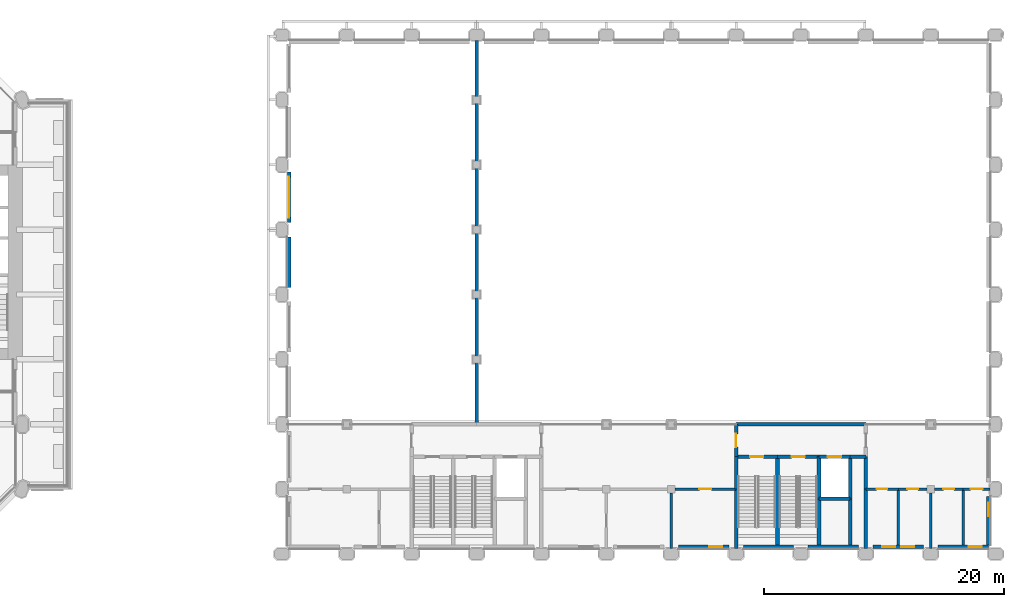
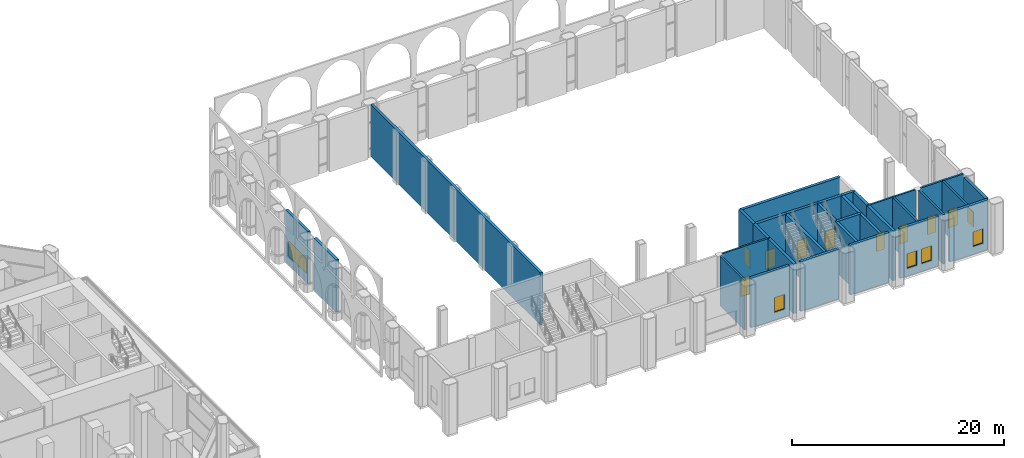
# One storey, part 16 of 34: 34 walls, 9 doors, 6 windows, 15 openings.
"""IFC4 building model written with IfcOpenShell, lengths in metres."""

import ifcopenshell
import ifcopenshell.guid

model = None  # the IFC model being written
_history = None  # IfcOwnerHistory: only IFC2X3 demands one
_inside = {}  # id of a spatial element -> (the spatial element, [elements in it])
_under = {}  # id of a project, library or spatial element -> (it, [spatial elements below it])
_declared = {}  # id of a project -> (the project, [libraries it declares])
_typed = {}  # id of a type object -> (the type object, [elements of that type])
_made_of = {}  # id of a material, layer set ... -> (it, [elements and type objects made of it])


def new_model(schema):
    """Start an empty IFC model of exactly this schema.

    Asked for "IFC4X3", IfcOpenShell would pick the latest addendum, in which some entities
    have other attributes; the version numbers below select the first issue.
    IFC2X3 requires an IfcOwnerHistory on every rooted entity: one is made here for all.
    """
    global model, _history
    if schema == "IFC4X3":
        model = ifcopenshell.file(schema_version=(4, 3, 0, 0))
    else:
        model = ifcopenshell.file(schema=schema)
    _inside.clear()
    _under.clear()
    _declared.clear()
    _typed.clear()
    _made_of.clear()
    _history = None
    if model.schema == "IFC2X3":
        org = make("IfcOrganization", Name="unknown")
        user = make(
            "IfcPersonAndOrganization",
            ThePerson=make("IfcPerson", FamilyName="unknown"),
            TheOrganization=org,
        )
        app = make(
            "IfcApplication",
            ApplicationDeveloper=org,
            Version="unknown",
            ApplicationFullName="unknown",
            ApplicationIdentifier="unknown",
        )
        _history = make(
            "IfcOwnerHistory",
            OwningUser=user,
            OwningApplication=app,
            ChangeAction="ADDED",
            CreationDate=0,
        )
    return model


def make(cls, **values):
    """One entity of the class cls with the attributes given. An attribute that is None is left unset."""
    return model.create_entity(
        cls, **{name: value for name, value in values.items() if value is not None}
    )


def rooted(cls, **values):
    """An entity with a GlobalId (a new one), such as an element, a storey or a relation."""
    return make(cls, GlobalId=ifcopenshell.guid.new(), OwnerHistory=_history, **values)


def si_unit(unit_type, name, prefix=None):
    """IfcSIUnit, for example si_unit("LENGTHUNIT", "METRE", prefix="MILLI")."""
    return make("IfcSIUnit", UnitType=unit_type, Prefix=prefix, Name=name)


def assignment(units):
    """IfcUnitAssignment: the units of a project."""
    return None if units is None else make("IfcUnitAssignment", Units=units)


def point(xyz):
    """IfcCartesianPoint."""
    return None if xyz is None else make("IfcCartesianPoint", Coordinates=xyz)


def direction(xyz):
    """IfcDirection."""
    return None if xyz is None else make("IfcDirection", DirectionRatios=xyz)


def frame(location, z_axis=None, x_axis=None):
    """IfcAxis2Placement3D, a coordinate frame: its origin and axes. An axis left out is left unset."""
    return make(
        "IfcAxis2Placement3D",
        Location=point(location),
        Axis=direction(z_axis),
        RefDirection=direction(x_axis),
    )


def frame_2d(location, x_axis=None):
    """IfcAxis2Placement2D, a coordinate frame in the plane: its origin and x axis."""
    return make(
        "IfcAxis2Placement2D", Location=point(location), RefDirection=direction(x_axis)
    )


def origin():
    """The frame at (0, 0, 0) with its axes left unset."""
    return frame((0.0, 0.0, 0.0))


def place(relative_to, where):
    """IfcLocalPlacement: puts the frame where relative to a parent placement (None: the world)."""
    return make(
        "IfcLocalPlacement", PlacementRelTo=relative_to, RelativePlacement=where
    )


def context(
    kind, dimensions, precision=None, world=None, true_north=None, identifier=None
):
    """IfcGeometricRepresentationContext, for example the 3D "Model" context."""
    return make(
        "IfcGeometricRepresentationContext",
        ContextIdentifier=identifier,
        ContextType=kind,
        CoordinateSpaceDimension=dimensions,
        Precision=precision,
        WorldCoordinateSystem=world,
        TrueNorth=true_north,
    )


def subcontext(parent, identifier, kind, view, scale=None):
    """IfcGeometricRepresentationSubContext, for example "Body" below "Model"."""
    return make(
        "IfcGeometricRepresentationSubContext",
        ContextIdentifier=identifier,
        ContextType=kind,
        ParentContext=parent,
        TargetScale=scale,
        TargetView=view,
    )


def project(units=None, contexts=None):
    """IfcProject with its units and contexts."""
    return rooted(
        "IfcProject",
        Name="project",
        RepresentationContexts=contexts,
        UnitsInContext=assignment(units),
    )


def spatial(cls, under=None, at=None, **own):
    """A site, building, storey or space (cls), placed at a placement, below another one or the project."""
    s = rooted(cls, ObjectPlacement=at, **own)
    if under is not None:
        _under.setdefault(under.id(), (under, []))[1].append(s)
    return s


def profile(cls, at=None, kind="AREA", **sizes):
    """A parametric profile (cls). Its sizes go by their IFC names, for example OverallWidth=200.0."""
    return make(cls, ProfileType=kind, Position=at, **sizes)


def rectangle(**sizes):
    """IfcRectangleProfileDef."""
    return profile("IfcRectangleProfileDef", **sizes)


def extrude(swept, where, along, depth):
    """IfcExtrudedAreaSolid: the profile swept, set in the frame where, extruded along a direction by depth."""
    return make(
        "IfcExtrudedAreaSolid",
        SweptArea=swept,
        Position=where,
        ExtrudedDirection=direction(along),
        Depth=depth,
    )


def shape(context_of_items, identifier, shape_type, items):
    """IfcShapeRepresentation: the items that make up one representation, for example the "Body"."""
    return make(
        "IfcShapeRepresentation",
        ContextOfItems=context_of_items,
        RepresentationIdentifier=identifier,
        RepresentationType=shape_type,
        Items=items,
    )


def material(Name=None, Category=None):
    """IfcMaterial."""
    return make("IfcMaterial", Name=Name, Category=Category)


def layer(
    of_material, thickness, ventilated=None, Name=None, Category=None, Priority=None
):
    """IfcMaterialLayer: one layer of a wall or slab, of a material (None: an air gap)."""
    return make(
        "IfcMaterialLayer",
        Material=of_material,
        LayerThickness=thickness,
        IsVentilated=ventilated,
        Name=Name,
        Category=Category,
        Priority=Priority,
    )


def layer_set(layers, Name=None):
    """IfcMaterialLayerSet."""
    return make("IfcMaterialLayerSet", MaterialLayers=layers, LayerSetName=Name)


def made_of(thing, what):
    """Note that an element or type object is made of a material, layer set ...; save() writes the relation."""
    if what is not None:
        _made_of.setdefault(what.id(), (what, []))[1].append(thing)
    return thing


def type_object(cls, material=None, **own):
    """A type object (cls), such as IfcWallType, which elements share."""
    return made_of(rooted(cls, **own), material)


def element(
    cls,
    number,
    at=None,
    inside=None,
    cuts=None,
    type_object=None,
    material=None,
    context=None,
    identifier="Body",
    shape_type=None,
    held_by="IfcProductDefinitionShape",
    body=None,
    shapes=None,
    **own,
):
    """One element of the class cls, such as IfcWall. Its Tag is "e" and its number.

    at: its placement. inside: the storey or other place that contains it. cuts: it is an
    opening in that element (IfcRelVoidsElement). A single representation is given by context,
    identifier, shape_type and body (its items); several are given by shapes. held_by: the class
    of the entity that holds the representations. save() writes the other relations.
    """
    e = rooted(cls, Tag="e%d" % number, ObjectPlacement=at, **own)
    if body is not None:
        shapes = [shape(context, identifier, shape_type, body)]
    if shapes is not None:
        e.Representation = make(held_by, Representations=shapes)
    if inside is not None:
        _inside.setdefault(inside.id(), (inside, []))[1].append(e)
    if cuts is not None:
        rooted(
            "IfcRelVoidsElement", RelatingBuildingElement=cuts, RelatedOpeningElement=e
        )
    if type_object is not None:
        _typed.setdefault(type_object.id(), (type_object, []))[1].append(e)
    return made_of(e, material)


def fill(opening, filler):
    """IfcRelFillsElement: the door or window that sits in an opening."""
    return rooted(
        "IfcRelFillsElement",
        RelatingOpeningElement=opening,
        RelatedBuildingElement=filler,
    )


def aggregate(whole, parts):
    """IfcRelAggregates: a whole, such as a stair, and the parts it consists of."""
    return rooted("IfcRelAggregates", RelatingObject=whole, RelatedObjects=parts)


def save(model, path):
    """Write the relations noted so far, then the file.

    IfcRelAggregates (storeys below a building ...), IfcRelContainedInSpatialStructure (elements
    in a storey), IfcRelDefinesByType, IfcRelAssociatesMaterial and IfcRelDeclares: one each for
    every whole, place, type object, material and project.
    """
    for whole, parts in _under.values():
        aggregate(whole, parts)
    for where, things in _inside.values():
        rooted(
            "IfcRelContainedInSpatialStructure",
            RelatedElements=things,
            RelatingStructure=where,
        )
    for kind, things in _typed.values():
        rooted("IfcRelDefinesByType", RelatedObjects=things, RelatingType=kind)
    for what, things in _made_of.values():
        rooted("IfcRelAssociatesMaterial", RelatedObjects=things, RelatingMaterial=what)
    for by, libraries in _declared.values():
        rooted("IfcRelDeclares", RelatingContext=by, RelatedDefinitions=libraries)
    model.write(path)


model = new_model("IFC4")

# Units and contexts
model_context = context("Model", 3, precision=1e-05, world=origin(), true_north=direction((0.0, 1.0)))
body_context = subcontext(model_context, "Body", "Model", "MODEL_VIEW")
ifc_project = project(units=[si_unit("LENGTHUNIT", "METRE"), si_unit("AREAUNIT", "SQUARE_METRE"), si_unit("VOLUMEUNIT", "CUBIC_METRE"), si_unit("PLANEANGLEUNIT", "RADIAN"), si_unit("MASSUNIT", "GRAM", prefix="KILO")], contexts=[model_context])

# Site, building, storey
site_placement = place(None, origin())
site = spatial("IfcSite", under=ifc_project, at=site_placement, CompositionType="ELEMENT")
building_placement = place(site_placement, origin())
building = spatial("IfcBuilding", under=site, at=building_placement, Name="Tabaq Tower and Sports Hall", CompositionType="ELEMENT")
storey_placement = place(building_placement, frame((0.0, 0.0, 8.39990234375)))
storey = spatial("IfcBuildingStorey", under=building, at=storey_placement, Name="L01", CompositionType="ELEMENT", Elevation=8.39990234375)

# Wall
ifc_material_1 = material(Name="Concrete C50/60", Category="concrete")
ifc_layer_1 = layer(ifc_material_1, 0.300048828125)
ifc_layer_set_1 = layer_set([ifc_layer_1], Name="HALL CORE WALL RC 300 C50/60")
wall_type_1 = type_object("IfcWallType", Name="HALL CORE WALL RC 300 C50/60", PredefinedType="SHEAR", material=ifc_layer_set_1)
wall_1_placement = place(storey_placement, frame((102.60009765625, 5.39990234375, 0.0), z_axis=(0.0, 0.0, 1.0), x_axis=(0.0, 1.0, 0.0)))
element("IfcWall", 1, at=wall_1_placement, inside=storey, type_object=wall_type_1, Name="L01 core wall 011", PredefinedType="SHEAR", context=body_context, shape_type="SweptSolid", body=[
    extrude(rectangle(XDim=2.7001953125, YDim=0.300048828125, at=frame_2d((1.35009765625, 0.0))), origin(), (0.0, 0.0, 1.0), 5.7001953125),
])

# Wall, opening, door
wall_2_placement = place(storey_placement, frame((102.60009765625, 8.10009765625, 0.0), z_axis=(0.0, 0.0, 1.0), x_axis=(0.0, 1.0, 0.0)))
wall_2 = element("IfcWall", 2, at=wall_2_placement, inside=storey, type_object=wall_type_1, Name="L01 core wall 012", PredefinedType="SHEAR", context=body_context, shape_type="SweptSolid", body=[
    extrude(rectangle(XDim=2.699951171875, YDim=0.300048828125, at=frame_2d((1.35009765625, 0.0))), origin(), (0.0, 0.0, 1.0), 5.7001953125),
])
opening_1_placement = place(wall_2_placement, frame((0.800048828125, 0.0, 0.0)))
opening_1 = element("IfcOpeningElement", 3, at=opening_1_placement, cuts=wall_2, Name="Opening HD040", PredefinedType="OPENING", context=body_context, shape_type="SweptSolid", body=[
    extrude(rectangle(XDim=1.10009765625, YDim=2.10009765625, at=frame_2d((0.550048828125, 1.050048828125))), frame((0.0, 0.14990234375, 0.0), z_axis=(0.0, -1.0, 0.0), x_axis=(1.0, 0.0, 0.0)), (0.0, 0.0, 1.0), 0.300048828125),
])
ifc_material_2 = material(Name="Steel fire door leaf in steel frame", Category="steel")
door_type_1 = type_object("IfcDoorType", Name="HALL FIRE DOOR 1100x2100", OperationType="SINGLE_SWING_LEFT", PredefinedType="DOOR", material=ifc_material_2)
door_1_placement = place(opening_1_placement, origin())
door_1 = element("IfcDoor", 4, at=door_1_placement, inside=storey, type_object=door_type_1, Name="Door HD040", OperationType="SINGLE_SWING_LEFT", OverallHeight=2.10009765625, OverallWidth=1.10009765625, PredefinedType="DOOR", context=body_context, shape_type="SweptSolid", body=[
    extrude(rectangle(XDim=1.10009765625, YDim=2.10009765625, at=frame_2d((0.550048828125, 1.050048828125))), frame((0.0, 0.02490234375, 0.0), z_axis=(0.0, -1.0, 0.0), x_axis=(1.0, 0.0, 0.0)), (0.0, 0.0, 1.0), 0.050048828125),
])
fill(opening_1, door_1)

# Walls
wall_3_placement = place(storey_placement, frame((113.39990234375, 5.39990234375, 0.0), z_axis=(0.0, 0.0, 1.0), x_axis=(0.0, 1.0, 0.0)))
element("IfcWall", 5, at=wall_3_placement, inside=storey, type_object=wall_type_1, Name="L01 core wall 017", PredefinedType="SHEAR", context=body_context, shape_type="SweptSolid", body=[
    extrude(rectangle(XDim=2.7001953125, YDim=0.300048828125, at=frame_2d((1.35009765625, 0.0))), origin(), (0.0, 0.0, 1.0), 5.7001953125),
])
for number, where, z_axis, x_axis, name in (
    (6, (102.60009765625, 0.449951171875, 0.0), (0.0, 0.0, 1.0), (0.0, 1.0, 0.0), "L01 core wall 024"),
    (7, (113.39990234375, 0.449951171875, 0.0), (0.0, 0.0, 1.0), (0.0, 1.0, 0.0), "L01 core wall 026"),
):
    element("IfcWall", number, at=place(storey_placement, frame(where, z_axis=z_axis, x_axis=x_axis)), inside=storey, type_object=wall_type_1, Name=name, PredefinedType="SHEAR", context=body_context, shape_type="SweptSolid", body=[
        extrude(rectangle(XDim=4.949951171875, YDim=0.300048828125, at=frame_2d((2.47509765625, 0.0))), origin(), (0.0, 0.0, 1.0), 5.7001953125),
    ])
wall_4_placement = place(storey_placement, frame((106.050048828125, 0.75, 0.0), z_axis=(0.0, 0.0, 1.0), x_axis=(0.0, 1.0, 0.0)))
element("IfcWall", 8, at=wall_4_placement, inside=storey, type_object=wall_type_1, Name="L01 core wall 041", PredefinedType="SHEAR", context=body_context, shape_type="SweptSolid", body=[
    extrude(rectangle(XDim=7.35009765625, YDim=0.300048828125, at=frame_2d((3.675048828125, 0.0))), origin(), (0.0, 0.0, 1.0), 5.7001953125),
])

# Wall, opening, door
wall_5_placement = place(storey_placement, frame((102.60009765625, 8.10009765625, 0.0), z_axis=(0.0, 0.0, 1.0), x_axis=(1.0, 0.0, 0.0)))
wall_5 = element("IfcWall", 9, at=wall_5_placement, inside=storey, type_object=wall_type_1, Name="L01 core wall 042", PredefinedType="SHEAR", context=body_context, shape_type="SweptSolid", body=[
    extrude(rectangle(XDim=3.449951171875, YDim=0.300048828125, at=frame_2d((1.72509765625, 0.0))), origin(), (0.0, 0.0, 1.0), 5.7001953125),
])
opening_2_placement = place(wall_5_placement, frame((1.175048828125, 0.0, 0.0)))
opening_2 = element("IfcOpeningElement", 10, at=opening_2_placement, cuts=wall_5, Name="Opening HD053", PredefinedType="OPENING", context=body_context, shape_type="SweptSolid", body=[
    extrude(rectangle(XDim=1.10009765625, YDim=2.10009765625, at=frame_2d((0.550048828125, 1.050048828125))), frame((0.0, 0.14990234375, 0.0), z_axis=(0.0, -1.0, 0.0), x_axis=(1.0, 0.0, 0.0)), (0.0, 0.0, 1.0), 0.300048828125),
])
door_2_placement = place(opening_2_placement, origin())
door_2 = element("IfcDoor", 11, at=door_2_placement, inside=storey, type_object=door_type_1, Name="Door HD053", OperationType="SINGLE_SWING_LEFT", OverallHeight=2.10009765625, OverallWidth=1.10009765625, PredefinedType="DOOR", context=body_context, shape_type="SweptSolid", body=[
    extrude(rectangle(XDim=1.10009765625, YDim=2.10009765625, at=frame_2d((0.550048828125, 1.050048828125))), frame((0.0, 0.02490234375, 0.0), z_axis=(0.0, -1.0, 0.0), x_axis=(1.0, 0.0, 0.0)), (0.0, 0.0, 1.0), 0.050048828125),
])
fill(opening_2, door_2)

# Walls
wall_6_placement = place(storey_placement, frame((109.5, 4.60009765625, 0.0), z_axis=(0.0, 0.0, 1.0), x_axis=(0.0, 1.0, 0.0)))
element("IfcWall", 12, at=wall_6_placement, inside=storey, type_object=wall_type_1, Name="L01 core wall 043", PredefinedType="SHEAR", context=body_context, shape_type="SweptSolid", body=[
    extrude(rectangle(XDim=3.5, YDim=0.300048828125, at=frame_2d((1.75, 0.0))), origin(), (0.0, 0.0, 1.0), 5.7001953125),
])
wall_7_placement = place(storey_placement, frame((109.5, 0.75, 0.0), z_axis=(0.0, 0.0, 1.0), x_axis=(0.0, 1.0, 0.0)))
element("IfcWall", 13, at=wall_7_placement, inside=storey, type_object=wall_type_1, Name="L01 core wall 044", PredefinedType="SHEAR", context=body_context, shape_type="SweptSolid", body=[
    extrude(rectangle(XDim=3.85009765625, YDim=0.300048828125, at=frame_2d((1.925048828125, 0.0))), origin(), (0.0, 0.0, 1.0), 5.7001953125),
])

# Wall, opening, door
wall_8_placement = place(storey_placement, frame((106.050048828125, 8.10009765625, 0.0), z_axis=(0.0, 0.0, 1.0), x_axis=(1.0, 0.0, 0.0)))
wall_8 = element("IfcWall", 14, at=wall_8_placement, inside=storey, type_object=wall_type_1, Name="L01 core wall 045", PredefinedType="SHEAR", context=body_context, shape_type="SweptSolid", body=[
    extrude(rectangle(XDim=3.449951171875, YDim=0.300048828125, at=frame_2d((1.72509765625, 0.0))), origin(), (0.0, 0.0, 1.0), 5.7001953125),
])
opening_3_placement = place(wall_8_placement, frame((1.175048828125, 0.0, 0.0)))
opening_3 = element("IfcOpeningElement", 15, at=opening_3_placement, cuts=wall_8, Name="Opening HD054", PredefinedType="OPENING", context=body_context, shape_type="SweptSolid", body=[
    extrude(rectangle(XDim=1.10009765625, YDim=2.10009765625, at=frame_2d((0.550048828125, 1.050048828125))), frame((0.0, 0.14990234375, 0.0), z_axis=(0.0, -1.0, 0.0), x_axis=(1.0, 0.0, 0.0)), (0.0, 0.0, 1.0), 0.300048828125),
])
door_3_placement = place(opening_3_placement, origin())
door_3 = element("IfcDoor", 16, at=door_3_placement, inside=storey, type_object=door_type_1, Name="Door HD054", OperationType="SINGLE_SWING_LEFT", OverallHeight=2.10009765625, OverallWidth=1.10009765625, PredefinedType="DOOR", context=body_context, shape_type="SweptSolid", body=[
    extrude(rectangle(XDim=1.10009765625, YDim=2.10009765625, at=frame_2d((0.550048828125, 1.050048828125))), frame((0.0, 0.02490234375, 0.0), z_axis=(0.0, -1.0, 0.0), x_axis=(1.0, 0.0, 0.0)), (0.0, 0.0, 1.0), 0.050048828125),
])
fill(opening_3, door_3)

# Walls
wall_9_placement = place(storey_placement, frame((109.5, 4.60009765625, 0.0), z_axis=(0.0, 0.0, 1.0), x_axis=(1.0, 0.0, 0.0)))
element("IfcWall", 17, at=wall_9_placement, inside=storey, type_object=wall_type_1, Name="L01 core wall 046", PredefinedType="SHEAR", context=body_context, shape_type="SweptSolid", body=[
    extrude(rectangle(XDim=2.60009765625, YDim=0.300048828125, at=frame_2d((1.300048828125, 0.0))), origin(), (0.0, 0.0, 1.0), 5.7001953125),
])
wall_10_placement = place(storey_placement, frame((112.10009765625, 4.60009765625, 0.0), z_axis=(0.0, 0.0, 1.0), x_axis=(0.0, 1.0, 0.0)))
element("IfcWall", 18, at=wall_10_placement, inside=storey, type_object=wall_type_1, Name="L01 core wall 047", PredefinedType="SHEAR", context=body_context, shape_type="SweptSolid", body=[
    extrude(rectangle(XDim=3.5, YDim=0.300048828125, at=frame_2d((1.75, 0.0))), origin(), (0.0, 0.0, 1.0), 5.7001953125),
])

# Wall, opening, door
wall_11_placement = place(storey_placement, frame((109.5, 8.10009765625, 0.0), z_axis=(0.0, 0.0, 1.0), x_axis=(1.0, 0.0, 0.0)))
wall_11 = element("IfcWall", 19, at=wall_11_placement, inside=storey, type_object=wall_type_1, Name="L01 core wall 048", PredefinedType="SHEAR", context=body_context, shape_type="SweptSolid", body=[
    extrude(rectangle(XDim=2.60009765625, YDim=0.300048828125, at=frame_2d((1.300048828125, 0.0))), origin(), (0.0, 0.0, 1.0), 5.7001953125),
])
opening_4_placement = place(wall_11_placement, frame((0.75, 0.0, 0.0)))
opening_4 = element("IfcOpeningElement", 20, at=opening_4_placement, cuts=wall_11, Name="Opening LDB-L01", PredefinedType="OPENING", context=body_context, shape_type="SweptSolid", body=[
    extrude(rectangle(XDim=1.10009765625, YDim=2.10009765625, at=frame_2d((0.550048828125, 1.050048828125))), frame((0.0, 0.14990234375, 0.0), z_axis=(0.0, -1.0, 0.0), x_axis=(1.0, 0.0, 0.0)), (0.0, 0.0, 1.0), 0.300048828125),
])
ifc_material_3 = material(Name="Stainless steel landing door panels", Category="steel")
door_type_2 = type_object("IfcDoorType", Name="HALL LIFT LANDING DOOR 1100x2100", OperationType="SLIDING_TO_LEFT", PredefinedType="DOOR", material=ifc_material_3)
door_4_placement = place(opening_4_placement, origin())
door_4 = element("IfcDoor", 21, at=door_4_placement, inside=storey, type_object=door_type_2, Name="Door LDB-L01", OperationType="SLIDING_TO_LEFT", OverallHeight=2.10009765625, OverallWidth=1.10009765625, PredefinedType="DOOR", context=body_context, shape_type="SweptSolid", body=[
    extrude(rectangle(XDim=1.10009765625, YDim=2.10009765625, at=frame_2d((0.550048828125, 1.050048828125))), frame((0.0, 0.02490234375, 0.0), z_axis=(0.0, -1.0, 0.0), x_axis=(1.0, 0.0, 0.0)), (0.0, 0.0, 1.0), 0.050048828125),
])
fill(opening_4, door_4)

# Walls
wall_12_placement = place(storey_placement, frame((112.10009765625, 0.75, 0.0), z_axis=(0.0, 0.0, 1.0), x_axis=(0.0, 1.0, 0.0)))
element("IfcWall", 22, at=wall_12_placement, inside=storey, type_object=wall_type_1, Name="L01 core wall 049", PredefinedType="SHEAR", context=body_context, shape_type="SweptSolid", body=[
    extrude(rectangle(XDim=3.85009765625, YDim=0.300048828125, at=frame_2d((1.925048828125, 0.0))), origin(), (0.0, 0.0, 1.0), 5.7001953125),
])
wall_13_placement = place(storey_placement, frame((112.10009765625, 8.10009765625, 0.0), z_axis=(0.0, 0.0, 1.0), x_axis=(1.0, 0.0, 0.0)))
element("IfcWall", 23, at=wall_13_placement, inside=storey, type_object=wall_type_1, Name="L01 core wall 050", PredefinedType="SHEAR", context=body_context, shape_type="SweptSolid", body=[
    extrude(rectangle(XDim=1.2998046875, YDim=0.300048828125, at=frame_2d((0.64990234375, 0.0))), origin(), (0.0, 0.0, 1.0), 5.7001953125),
])
wall_14_placement = place(storey_placement, frame((102.60009765625, 10.800048828125, 0.0), z_axis=(0.0, 0.0, 1.0), x_axis=(1.0, 0.0, 0.0)))
element("IfcWall", 24, at=wall_14_placement, inside=storey, type_object=wall_type_1, Name="L01 core wall 051", PredefinedType="SHEAR", context=body_context, shape_type="SweptSolid", body=[
    extrude(rectangle(XDim=10.7998046875, YDim=0.300048828125, at=frame_2d((5.39990234375, 0.0))), origin(), (0.0, 0.0, 1.0), 5.7001953125),
])
wall_15_placement = place(storey_placement, frame((81.0, 10.800048828125, 0.0), z_axis=(0.0, 0.0, 1.0), x_axis=(0.0, 1.0, 0.0)))
element("IfcWall", 25, at=wall_15_placement, inside=storey, type_object=wall_type_1, Name="L01 partition 052", PredefinedType="SHEAR", context=body_context, shape_type="SweptSolid", body=[
    extrude(rectangle(XDim=31.949951171875, YDim=0.300048828125, at=frame_2d((15.97509765625, 0.0))), origin(), (0.0, 0.0, 1.0), 6.0),
])

# Wall, opening, door
ifc_material_4 = material(Name="Blockwork partition with plaster both faces", Category="masonry")
ifc_layer_2 = layer(ifc_material_4, 0.199951171875)
ifc_layer_set_2 = layer_set([ifc_layer_2], Name="HALL PARTITION 200")
wall_type_2 = type_object("IfcWallType", Name="HALL PARTITION 200", PredefinedType="PARTITIONING", material=ifc_layer_set_2)
wall_16_placement = place(storey_placement, frame((97.5, 5.39990234375, 0.0), z_axis=(0.0, 0.0, 1.0), x_axis=(1.0, 0.0, 0.0)))
wall_16 = element("IfcWall", 26, at=wall_16_placement, inside=storey, type_object=wall_type_2, Name="L01 partition 008", PredefinedType="PARTITIONING", context=body_context, shape_type="SweptSolid", body=[
    extrude(rectangle(XDim=5.10009765625, YDim=0.199951171875, at=frame_2d((2.550048828125, 0.0))), origin(), (0.0, 0.0, 1.0), 5.7001953125),
])
opening_5_placement = place(wall_16_placement, frame((2.050048828125, 0.0, 0.0)))
opening_5 = element("IfcOpeningElement", 27, at=opening_5_placement, cuts=wall_16, Name="Opening HD046", PredefinedType="OPENING", context=body_context, shape_type="SweptSolid", body=[
    extrude(rectangle(XDim=1.0, YDim=2.10009765625, at=frame_2d((0.5, 1.050048828125))), frame((0.0, 0.10009765625, 0.0), z_axis=(0.0, -1.0, 0.0), x_axis=(1.0, 0.0, 0.0)), (0.0, 0.0, 1.0), 0.199951171875),
])
ifc_material_5 = material(Name="Timber veneer door leaf in steel frame", Category="steel")
door_type_3 = type_object("IfcDoorType", Name="HALL DOOR SINGLE 1000x2100", OperationType="SINGLE_SWING_LEFT", PredefinedType="DOOR", material=ifc_material_5)
door_5_placement = place(opening_5_placement, origin())
door_5 = element("IfcDoor", 28, at=door_5_placement, inside=storey, type_object=door_type_3, Name="Door HD046", OperationType="SINGLE_SWING_LEFT", OverallHeight=2.10009765625, OverallWidth=1.0, PredefinedType="DOOR", context=body_context, shape_type="SweptSolid", body=[
    extrude(rectangle(XDim=1.0, YDim=2.10009765625, at=frame_2d((0.5, 1.050048828125))), frame((0.0, 0.02490234375, 0.0), z_axis=(0.0, -1.0, 0.0), x_axis=(1.0, 0.0, 0.0)), (0.0, 0.0, 1.0), 0.050048828125),
])
fill(opening_5, door_5)

wall_17_placement = place(storey_placement, frame((113.39990234375, 5.39990234375, 0.0), z_axis=(0.0, 0.0, 1.0), x_axis=(1.0, 0.0, 0.0)))
wall_17 = element("IfcWall", 29, at=wall_17_placement, inside=storey, type_object=wall_type_2, Name="L01 partition 013", PredefinedType="PARTITIONING", context=body_context, shape_type="SweptSolid", body=[
    extrude(rectangle(XDim=2.7001953125, YDim=0.199951171875, at=frame_2d((1.35009765625, 0.0))), origin(), (0.0, 0.0, 1.0), 5.7001953125),
])
opening_6_placement = place(wall_17_placement, frame((0.89990234375, 0.0, 0.0)))
opening_6 = element("IfcOpeningElement", 30, at=opening_6_placement, cuts=wall_17, Name="Opening HD047", PredefinedType="OPENING", context=body_context, shape_type="SweptSolid", body=[
    extrude(rectangle(XDim=0.89990234375, YDim=2.10009765625, at=frame_2d((0.449951171875, 1.050048828125))), frame((0.0, 0.10009765625, 0.0), z_axis=(0.0, -1.0, 0.0), x_axis=(1.0, 0.0, 0.0)), (0.0, 0.0, 1.0), 0.199951171875),
])
ifc_material_6 = material(Name="Timber veneer door leaf in steel frame", Category="steel")
door_type_4 = type_object("IfcDoorType", Name="HALL DOOR SINGLE 900x2100", OperationType="SINGLE_SWING_LEFT", PredefinedType="DOOR", material=ifc_material_6)
door_6_placement = place(opening_6_placement, origin())
door_6 = element("IfcDoor", 31, at=door_6_placement, inside=storey, type_object=door_type_4, Name="Door HD047", OperationType="SINGLE_SWING_LEFT", OverallHeight=2.10009765625, OverallWidth=0.89990234375, PredefinedType="DOOR", context=body_context, shape_type="SweptSolid", body=[
    extrude(rectangle(XDim=0.89990234375, YDim=2.10009765625, at=frame_2d((0.449951171875, 1.050048828125))), frame((0.0, 0.02490234375, 0.0), z_axis=(0.0, -1.0, 0.0), x_axis=(1.0, 0.0, 0.0)), (0.0, 0.0, 1.0), 0.050048828125),
])
fill(opening_6, door_6)

wall_18_placement = place(storey_placement, frame((116.10009765625, 5.39990234375, 0.0), z_axis=(0.0, 0.0, 1.0), x_axis=(1.0, 0.0, 0.0)))
wall_18 = element("IfcWall", 32, at=wall_18_placement, inside=storey, type_object=wall_type_2, Name="L01 partition 014", PredefinedType="PARTITIONING", context=body_context, shape_type="SweptSolid", body=[
    extrude(rectangle(XDim=2.39990234375, YDim=0.199951171875, at=frame_2d((1.199951171875, 0.0))), origin(), (0.0, 0.0, 1.0), 5.7001953125),
])
opening_7_placement = place(wall_18_placement, frame((0.75, 0.0, 0.0)))
opening_7 = element("IfcOpeningElement", 33, at=opening_7_placement, cuts=wall_18, Name="Opening HD048", PredefinedType="OPENING", context=body_context, shape_type="SweptSolid", body=[
    extrude(rectangle(XDim=0.89990234375, YDim=2.10009765625, at=frame_2d((0.449951171875, 1.050048828125))), frame((0.0, 0.10009765625, 0.0), z_axis=(0.0, -1.0, 0.0), x_axis=(1.0, 0.0, 0.0)), (0.0, 0.0, 1.0), 0.199951171875),
])
door_7_placement = place(opening_7_placement, origin())
door_7 = element("IfcDoor", 34, at=door_7_placement, inside=storey, type_object=door_type_4, Name="Door HD048", OperationType="SINGLE_SWING_LEFT", OverallHeight=2.10009765625, OverallWidth=0.89990234375, PredefinedType="DOOR", context=body_context, shape_type="SweptSolid", body=[
    extrude(rectangle(XDim=0.89990234375, YDim=2.10009765625, at=frame_2d((0.449951171875, 1.050048828125))), frame((0.0, 0.02490234375, 0.0), z_axis=(0.0, -1.0, 0.0), x_axis=(1.0, 0.0, 0.0)), (0.0, 0.0, 1.0), 0.050048828125),
])
fill(opening_7, door_7)

wall_19_placement = place(storey_placement, frame((119.10009765625, 5.39990234375, 0.0), z_axis=(0.0, 0.0, 1.0), x_axis=(1.0, 0.0, 0.0)))
wall_19 = element("IfcWall", 35, at=wall_19_placement, inside=storey, type_object=wall_type_2, Name="L01 partition 015", PredefinedType="PARTITIONING", context=body_context, shape_type="SweptSolid", body=[
    extrude(rectangle(XDim=2.39990234375, YDim=0.199951171875, at=frame_2d((1.199951171875, 0.0))), origin(), (0.0, 0.0, 1.0), 5.7001953125),
])
opening_8_placement = place(wall_19_placement, frame((0.75, 0.0, 0.0)))
opening_8 = element("IfcOpeningElement", 36, at=opening_8_placement, cuts=wall_19, Name="Opening HD049", PredefinedType="OPENING", context=body_context, shape_type="SweptSolid", body=[
    extrude(rectangle(XDim=0.89990234375, YDim=2.10009765625, at=frame_2d((0.449951171875, 1.050048828125))), frame((0.0, 0.10009765625, 0.0), z_axis=(0.0, -1.0, 0.0), x_axis=(1.0, 0.0, 0.0)), (0.0, 0.0, 1.0), 0.199951171875),
])
door_8_placement = place(opening_8_placement, origin())
door_8 = element("IfcDoor", 37, at=door_8_placement, inside=storey, type_object=door_type_4, Name="Door HD049", OperationType="SINGLE_SWING_LEFT", OverallHeight=2.10009765625, OverallWidth=0.89990234375, PredefinedType="DOOR", context=body_context, shape_type="SweptSolid", body=[
    extrude(rectangle(XDim=0.89990234375, YDim=2.10009765625, at=frame_2d((0.449951171875, 1.050048828125))), frame((0.0, 0.02490234375, 0.0), z_axis=(0.0, -1.0, 0.0), x_axis=(1.0, 0.0, 0.0)), (0.0, 0.0, 1.0), 0.050048828125),
])
fill(opening_8, door_8)

wall_20_placement = place(storey_placement, frame((121.5, 5.39990234375, 0.0), z_axis=(0.0, 0.0, 1.0), x_axis=(1.0, 0.0, 0.0)))
wall_20 = element("IfcWall", 38, at=wall_20_placement, inside=storey, type_object=wall_type_2, Name="L01 partition 016", PredefinedType="PARTITIONING", context=body_context, shape_type="SweptSolid", body=[
    extrude(rectangle(XDim=2.25, YDim=0.199951171875, at=frame_2d((1.125, 0.0))), origin(), (0.0, 0.0, 1.0), 5.7001953125),
])
opening_9_placement = place(wall_20_placement, frame((0.625, 0.0, 0.0)))
opening_9 = element("IfcOpeningElement", 39, at=opening_9_placement, cuts=wall_20, Name="Opening HD050", PredefinedType="OPENING", context=body_context, shape_type="SweptSolid", body=[
    extrude(rectangle(XDim=1.0, YDim=2.10009765625, at=frame_2d((0.5, 1.050048828125))), frame((0.0, 0.10009765625, 0.0), z_axis=(0.0, -1.0, 0.0), x_axis=(1.0, 0.0, 0.0)), (0.0, 0.0, 1.0), 0.199951171875),
])
door_9_placement = place(opening_9_placement, origin())
door_9 = element("IfcDoor", 40, at=door_9_placement, inside=storey, type_object=door_type_3, Name="Door HD050", OperationType="SINGLE_SWING_LEFT", OverallHeight=2.10009765625, OverallWidth=1.0, PredefinedType="DOOR", context=body_context, shape_type="SweptSolid", body=[
    extrude(rectangle(XDim=1.0, YDim=2.10009765625, at=frame_2d((0.5, 1.050048828125))), frame((0.0, 0.02490234375, 0.0), z_axis=(0.0, -1.0, 0.0), x_axis=(1.0, 0.0, 0.0)), (0.0, 0.0, 1.0), 0.050048828125),
])
fill(opening_9, door_9)

# Walls
wall_21_placement = place(storey_placement, frame((97.199951171875, 0.449951171875, 0.0), z_axis=(0.0, 0.0, 1.0), x_axis=(0.0, 1.0, 0.0)))
element("IfcWall", 41, at=wall_21_placement, inside=storey, type_object=wall_type_2, Name="L01 partition 023", PredefinedType="PARTITIONING", context=body_context, shape_type="SweptSolid", body=[
    extrude(rectangle(XDim=4.650146484375, YDim=0.199951171875, at=frame_2d((2.3251953125, 0.0))), origin(), (0.0, 0.0, 1.0), 5.7001953125),
])
wall_22_placement = place(storey_placement, frame((116.10009765625, 0.75, 0.0), z_axis=(0.0, 0.0, 1.0), x_axis=(0.0, 1.0, 0.0)))
element("IfcWall", 42, at=wall_22_placement, inside=storey, type_object=wall_type_2, Name="L01 partition 025", PredefinedType="PARTITIONING", context=body_context, shape_type="SweptSolid", body=[
    extrude(rectangle(XDim=4.64990234375, YDim=0.199951171875, at=frame_2d((2.324951171875, 0.0))), origin(), (0.0, 0.0, 1.0), 5.7001953125),
])
wall_23_placement = place(storey_placement, frame((118.800048828125, 0.449951171875, 0.0), z_axis=(0.0, 0.0, 1.0), x_axis=(0.0, 1.0, 0.0)))
element("IfcWall", 43, at=wall_23_placement, inside=storey, type_object=wall_type_2, Name="L01 partition 027", PredefinedType="PARTITIONING", context=body_context, shape_type="SweptSolid", body=[
    extrude(rectangle(XDim=4.650146484375, YDim=0.199951171875, at=frame_2d((2.3251953125, 0.0))), origin(), (0.0, 0.0, 1.0), 5.7001953125),
])
wall_24_placement = place(storey_placement, frame((121.5, 0.75, 0.0), z_axis=(0.0, 0.0, 1.0), x_axis=(0.0, 1.0, 0.0)))
element("IfcWall", 44, at=wall_24_placement, inside=storey, type_object=wall_type_2, Name="L01 partition 028", PredefinedType="PARTITIONING", context=body_context, shape_type="SweptSolid", body=[
    extrude(rectangle(XDim=4.64990234375, YDim=0.199951171875, at=frame_2d((2.324951171875, 0.0))), origin(), (0.0, 0.0, 1.0), 5.7001953125),
])

# Wall, opening, window
ifc_material_7 = material(Name="White precast concrete C60/75", Category="concrete")
ifc_layer_3 = layer(ifc_material_7, 0.300048828125)
ifc_layer_set_3 = layer_set([ifc_layer_3], Name="White precast concrete C60/75 external wall 300")
wall_type_3 = type_object("IfcWallType", Name="White precast concrete C60/75 external wall 300", PredefinedType="SOLIDWALL", material=ifc_layer_set_3)
wall_25_placement = place(storey_placement, frame((97.800048828125, 0.60009765625, 0.0), z_axis=(0.0, 0.0, 1.0), x_axis=(1.0, 0.0, 0.0)))
wall_25 = element("IfcWall", 45, at=wall_25_placement, inside=storey, type_object=wall_type_3, Name="L01 S facade panel", PredefinedType="SOLIDWALL", context=body_context, shape_type="SweptSolid", body=[
    extrude(rectangle(XDim=4.199951171875, YDim=0.300048828125, at=frame_2d((2.10009765625, 0.0))), origin(), (0.0, 0.0, 1.0), 5.7001953125),
])
opening_10_placement = place(wall_25_placement, frame((2.550048828125, 0.0, 0.89990234375)))
opening_10 = element("IfcOpeningElement", 46, at=opening_10_placement, cuts=wall_25, Name="Opening HW010", PredefinedType="OPENING", context=body_context, shape_type="SweptSolid", body=[
    extrude(rectangle(XDim=1.10009765625, YDim=1.699951171875, at=frame_2d((0.550048828125, 0.85009765625))), frame((0.0, 0.14990234375, 0.0), z_axis=(0.0, -1.0, 0.0), x_axis=(1.0, 0.0, 0.0)), (0.0, 0.0, 1.0), 0.300048828125),
])
ifc_material_8 = material(Name="Aluminium framed clear glazing", Category="aluminium")
window_type_1 = type_object("IfcWindowType", Name="Window W1B", PartitioningType="SINGLE_PANEL", PredefinedType="WINDOW", material=ifc_material_8)
window_1_placement = place(opening_10_placement, origin())
window_1 = element("IfcWindow", 47, at=window_1_placement, inside=storey, type_object=window_type_1, Name="Window HW010", OverallHeight=1.699951171875, OverallWidth=1.10009765625, PartitioningType="SINGLE_PANEL", PredefinedType="WINDOW", context=body_context, shape_type="SweptSolid", body=[
    extrude(rectangle(XDim=1.10009765625, YDim=1.699951171875, at=frame_2d((0.550048828125, 0.85009765625))), frame((0.0, 0.030029296875, 0.0), z_axis=(0.0, -1.0, 0.0), x_axis=(1.0, 0.0, 0.0)), (0.0, 0.0, 1.0), 0.06005859375),
])
fill(opening_10, window_1)

# Walls
for number, where, z_axis, x_axis, name in (
    (48, (103.199951171875, 0.60009765625, 0.0), (0.0, 0.0, 1.0), (1.0, 0.0, 0.0), "L01 S facade panel"),
    (49, (108.60009765625, 0.60009765625, 0.0), (0.0, 0.0, 1.0), (1.0, 0.0, 0.0), "L01 S facade panel"),
):
    element("IfcWall", number, at=place(storey_placement, frame(where, z_axis=z_axis, x_axis=x_axis)), inside=storey, type_object=wall_type_3, Name=name, PredefinedType="SOLIDWALL", context=body_context, shape_type="SweptSolid", body=[
        extrude(rectangle(XDim=4.199951171875, YDim=0.300048828125, at=frame_2d((2.10009765625, 0.0))), origin(), (0.0, 0.0, 1.0), 5.7001953125),
    ])

# Wall, openings, windows
wall_26_placement = place(storey_placement, frame((114.0, 0.60009765625, 0.0), z_axis=(0.0, 0.0, 1.0), x_axis=(1.0, 0.0, 0.0)))
wall_26 = element("IfcWall", 50, at=wall_26_placement, inside=storey, type_object=wall_type_3, Name="L01 S facade panel", PredefinedType="SOLIDWALL", context=body_context, shape_type="SweptSolid", body=[
    extrude(rectangle(XDim=4.199951171875, YDim=0.300048828125, at=frame_2d((2.10009765625, 0.0))), origin(), (0.0, 0.0, 1.0), 5.7001953125),
])
opening_11_placement = place(wall_26_placement, frame((0.75, 0.0, 0.89990234375)))
opening_11 = element("IfcOpeningElement", 51, at=opening_11_placement, cuts=wall_26, Name="Opening HW014", PredefinedType="OPENING", context=body_context, shape_type="SweptSolid", body=[
    extrude(rectangle(XDim=1.10009765625, YDim=1.699951171875, at=frame_2d((0.550048828125, 0.85009765625))), frame((0.0, 0.14990234375, 0.0), z_axis=(0.0, -1.0, 0.0), x_axis=(1.0, 0.0, 0.0)), (0.0, 0.0, 1.0), 0.300048828125),
])
opening_12_placement = place(wall_26_placement, frame((2.35009765625, 0.0, 0.89990234375)))
opening_12 = element("IfcOpeningElement", 52, at=opening_12_placement, cuts=wall_26, Name="Opening HW015", PredefinedType="OPENING", context=body_context, shape_type="SweptSolid", body=[
    extrude(rectangle(XDim=1.10009765625, YDim=1.699951171875, at=frame_2d((0.550048828125, 0.85009765625))), frame((0.0, 0.14990234375, 0.0), z_axis=(0.0, -1.0, 0.0), x_axis=(1.0, 0.0, 0.0)), (0.0, 0.0, 1.0), 0.300048828125),
])
window_2_placement = place(opening_11_placement, origin())
window_2 = element("IfcWindow", 53, at=window_2_placement, inside=storey, type_object=window_type_1, Name="Window HW014", OverallHeight=1.699951171875, OverallWidth=1.10009765625, PartitioningType="SINGLE_PANEL", PredefinedType="WINDOW", context=body_context, shape_type="SweptSolid", body=[
    extrude(rectangle(XDim=1.10009765625, YDim=1.699951171875, at=frame_2d((0.550048828125, 0.85009765625))), frame((0.0, 0.030029296875, 0.0), z_axis=(0.0, -1.0, 0.0), x_axis=(1.0, 0.0, 0.0)), (0.0, 0.0, 1.0), 0.06005859375),
])
fill(opening_11, window_2)
window_3_placement = place(opening_12_placement, origin())
window_3 = element("IfcWindow", 54, at=window_3_placement, inside=storey, type_object=window_type_1, Name="Window HW015", OverallHeight=1.699951171875, OverallWidth=1.10009765625, PartitioningType="SINGLE_PANEL", PredefinedType="WINDOW", context=body_context, shape_type="SweptSolid", body=[
    extrude(rectangle(XDim=1.10009765625, YDim=1.699951171875, at=frame_2d((0.550048828125, 0.85009765625))), frame((0.0, 0.030029296875, 0.0), z_axis=(0.0, -1.0, 0.0), x_axis=(1.0, 0.0, 0.0)), (0.0, 0.0, 1.0), 0.06005859375),
])
fill(opening_12, window_3)

# Wall, opening, window
wall_27_placement = place(storey_placement, frame((119.39990234375, 0.60009765625, 0.0), z_axis=(0.0, 0.0, 1.0), x_axis=(1.0, 0.0, 0.0)))
wall_27 = element("IfcWall", 55, at=wall_27_placement, inside=storey, type_object=wall_type_3, Name="L01 S facade panel", PredefinedType="SOLIDWALL", context=body_context, shape_type="SweptSolid", body=[
    extrude(rectangle(XDim=4.2001953125, YDim=0.300048828125, at=frame_2d((2.10009765625, 0.0))), origin(), (0.0, 0.0, 1.0), 5.7001953125),
])
opening_13_placement = place(wall_27_placement, frame((2.550048828125, 0.0, 0.89990234375)))
opening_13 = element("IfcOpeningElement", 56, at=opening_13_placement, cuts=wall_27, Name="Opening HW021", PredefinedType="OPENING", context=body_context, shape_type="SweptSolid", body=[
    extrude(rectangle(XDim=1.10009765625, YDim=1.699951171875, at=frame_2d((0.550048828125, 0.85009765625))), frame((0.0, 0.14990234375, 0.0), z_axis=(0.0, -1.0, 0.0), x_axis=(1.0, 0.0, 0.0)), (0.0, 0.0, 1.0), 0.300048828125),
])
window_4_placement = place(opening_13_placement, origin())
window_4 = element("IfcWindow", 57, at=window_4_placement, inside=storey, type_object=window_type_1, Name="Window HW021", OverallHeight=1.699951171875, OverallWidth=1.10009765625, PartitioningType="SINGLE_PANEL", PredefinedType="WINDOW", context=body_context, shape_type="SweptSolid", body=[
    extrude(rectangle(XDim=1.10009765625, YDim=1.699951171875, at=frame_2d((0.550048828125, 0.85009765625))), frame((0.0, 0.030029296875, 0.0), z_axis=(0.0, -1.0, 0.0), x_axis=(1.0, 0.0, 0.0)), (0.0, 0.0, 1.0), 0.06005859375),
])
fill(opening_13, window_4)

# Wall
wall_28_placement = place(storey_placement, frame((65.39990234375, 22.199951171875, 0.0), z_axis=(0.0, 0.0, 1.0), x_axis=(0.0, 1.0, 0.0)))
element("IfcWall", 58, at=wall_28_placement, inside=storey, type_object=wall_type_3, Name="L01 W facade panel", PredefinedType="SOLIDWALL", context=body_context, shape_type="SweptSolid", body=[
    extrude(rectangle(XDim=4.199951171875, YDim=0.300048828125, at=frame_2d((2.10009765625, 0.0))), origin(), (0.0, 0.0, 1.0), 6.0),
])

# Wall, opening, window
wall_29_placement = place(storey_placement, frame((65.39990234375, 27.60009765625, 0.0), z_axis=(0.0, 0.0, 1.0), x_axis=(0.0, 1.0, 0.0)))
wall_29 = element("IfcWall", 59, at=wall_29_placement, inside=storey, type_object=wall_type_3, Name="L01 W facade panel", PredefinedType="SOLIDWALL", context=body_context, shape_type="SweptSolid", body=[
    extrude(rectangle(XDim=4.199951171875, YDim=0.300048828125, at=frame_2d((2.10009765625, 0.0))), origin(), (0.0, 0.0, 1.0), 6.0),
])
opening_14_placement = place(wall_29_placement, frame((0.39990234375, 0.0, 0.89990234375)))
opening_14 = element("IfcOpeningElement", 60, at=opening_14_placement, cuts=wall_29, Name="Opening HW035", PredefinedType="OPENING", context=body_context, shape_type="SweptSolid", body=[
    extrude(rectangle(XDim=3.39990234375, YDim=1.699951171875, at=frame_2d((1.699951171875, 0.85009765625))), frame((0.0, 0.14990234375, 0.0), z_axis=(0.0, -1.0, 0.0), x_axis=(1.0, 0.0, 0.0)), (0.0, 0.0, 1.0), 0.300048828125),
])
ifc_material_9 = material(Name="Aluminium framed clear glazing", Category="aluminium")
window_type_2 = type_object("IfcWindowType", Name="Window W1A", PartitioningType="SINGLE_PANEL", PredefinedType="WINDOW", material=ifc_material_9)
window_5_placement = place(opening_14_placement, origin())
window_5 = element("IfcWindow", 61, at=window_5_placement, inside=storey, type_object=window_type_2, Name="Window HW035", OverallHeight=1.699951171875, OverallWidth=3.39990234375, PartitioningType="SINGLE_PANEL", PredefinedType="WINDOW", context=body_context, shape_type="SweptSolid", body=[
    extrude(rectangle(XDim=3.39990234375, YDim=1.699951171875, at=frame_2d((1.699951171875, 0.85009765625))), frame((0.0, 0.030029296875, 0.0), z_axis=(0.0, -1.0, 0.0), x_axis=(1.0, 0.0, 0.0)), (0.0, 0.0, 1.0), 0.06005859375),
])
fill(opening_14, window_5)

wall_30_placement = place(storey_placement, frame((123.60009765625, 0.75, 0.0), z_axis=(0.0, 0.0, 1.0), x_axis=(0.0, 1.0, 0.0)))
wall_30 = element("IfcWall", 62, at=wall_30_placement, inside=storey, type_object=wall_type_3, Name="L01 E facade panel", PredefinedType="SOLIDWALL", context=body_context, shape_type="SweptSolid", body=[
    extrude(rectangle(XDim=4.050048828125, YDim=0.300048828125, at=frame_2d((2.02490234375, 0.0))), origin(), (0.0, 0.0, 1.0), 5.7001953125),
])
opening_15_placement = place(wall_30_placement, frame((2.39990234375, 0.0, 0.89990234375)))
opening_15 = element("IfcOpeningElement", 63, at=opening_15_placement, cuts=wall_30, Name="Opening HW038", PredefinedType="OPENING", context=body_context, shape_type="SweptSolid", body=[
    extrude(rectangle(XDim=1.10009765625, YDim=1.699951171875, at=frame_2d((0.550048828125, 0.85009765625))), frame((0.0, 0.14990234375, 0.0), z_axis=(0.0, -1.0, 0.0), x_axis=(1.0, 0.0, 0.0)), (0.0, 0.0, 1.0), 0.300048828125),
])
window_6_placement = place(opening_15_placement, origin())
window_6 = element("IfcWindow", 64, at=window_6_placement, inside=storey, type_object=window_type_1, Name="Window HW038", OverallHeight=1.699951171875, OverallWidth=1.10009765625, PartitioningType="SINGLE_PANEL", PredefinedType="WINDOW", context=body_context, shape_type="SweptSolid", body=[
    extrude(rectangle(XDim=1.10009765625, YDim=1.699951171875, at=frame_2d((0.550048828125, 0.85009765625))), frame((0.0, 0.030029296875, 0.0), z_axis=(0.0, -1.0, 0.0), x_axis=(1.0, 0.0, 0.0)), (0.0, 0.0, 1.0), 0.06005859375),
])
fill(opening_15, window_6)

save(model, "model.ifc")
